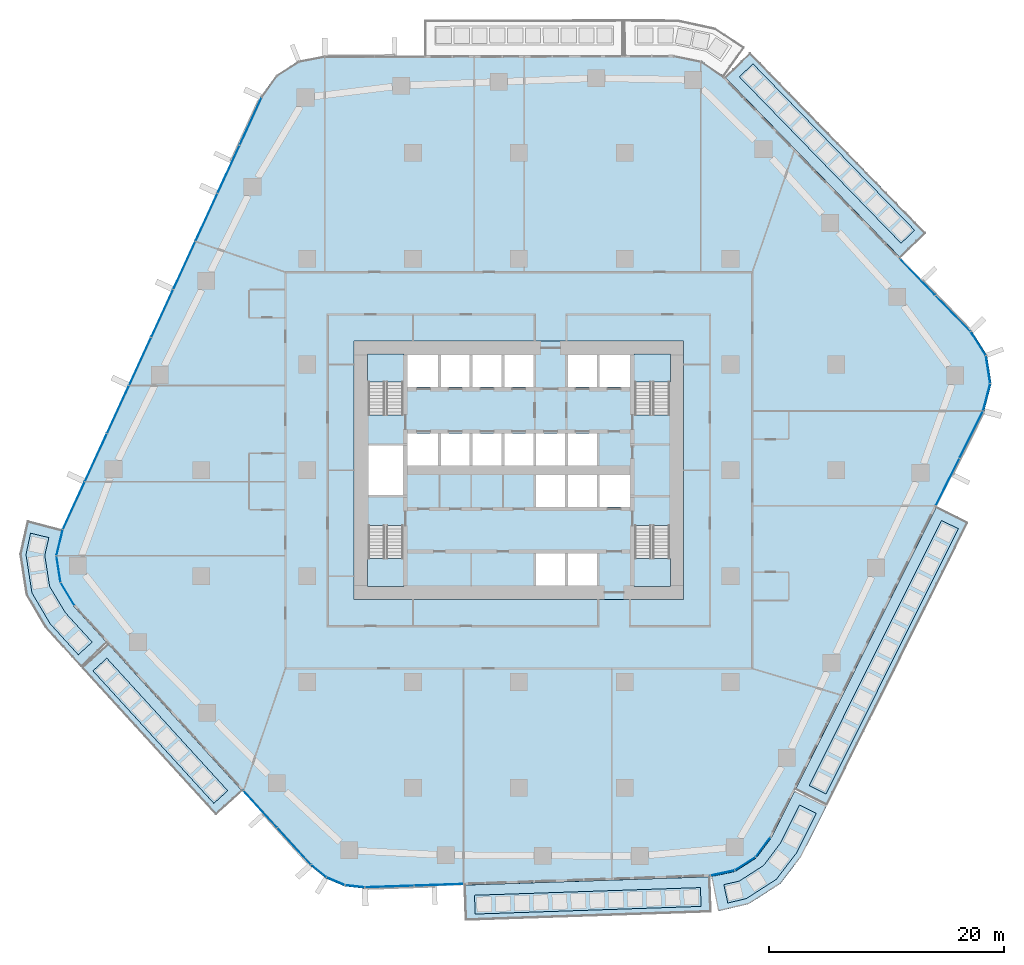
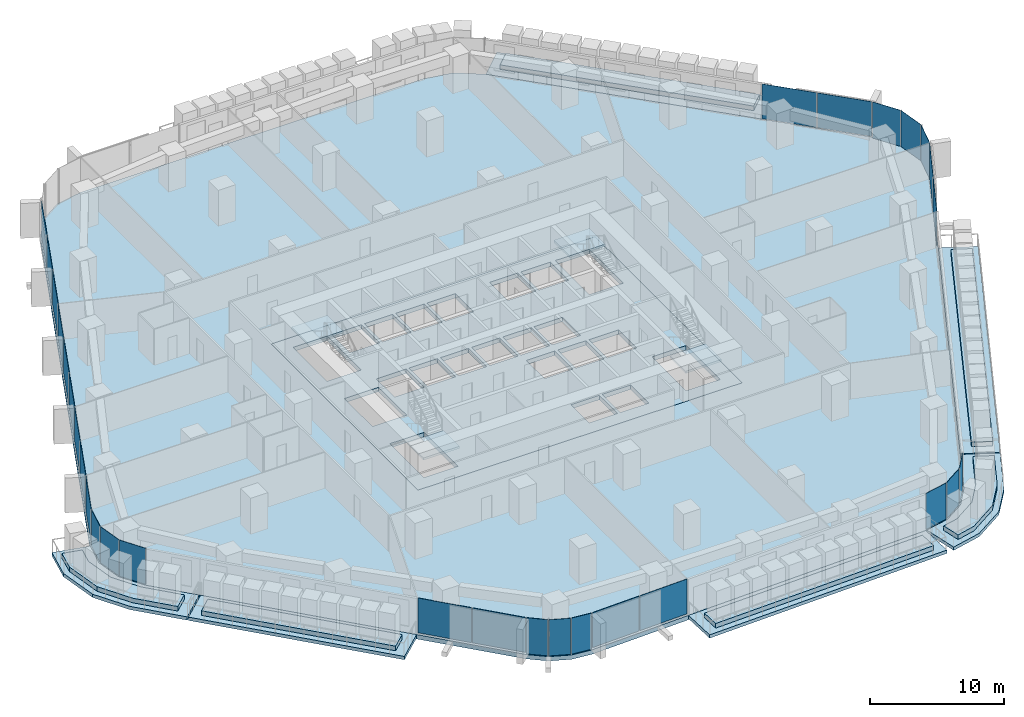
# One storey, part 11 of 26: 29 plates, 18 slabs, 13 elements without a shape of their own.
"""IFC4 building model written with IfcOpenShell, lengths in metres."""

from ifc_helpers import new_model, si_unit, direction, frame, origin, origin_2d, place, context, subcontext, project, spatial, polyline, rectangle, outline, extrude, material, layer, layer_set, type_object, element, aggregate, save


model = new_model("IFC4")

# Units and contexts
model_context = context("Model", 3, precision=1e-05, world=origin(), true_north=direction((0.0, 1.0)))
body_context = subcontext(model_context, "Body", "Model", "MODEL_VIEW")
ifc_project = project(units=[si_unit("LENGTHUNIT", "METRE"), si_unit("AREAUNIT", "SQUARE_METRE"), si_unit("VOLUMEUNIT", "CUBIC_METRE"), si_unit("PLANEANGLEUNIT", "RADIAN"), si_unit("MASSUNIT", "GRAM", prefix="KILO")], contexts=[model_context])

# Site, building, storey
site_placement = place(None, origin())
site = spatial("IfcSite", under=ifc_project, at=site_placement, CompositionType="ELEMENT")
building_placement = place(site_placement, origin())
building = spatial("IfcBuilding", under=site, at=building_placement, Name="Dongbaek Canopy Tower", CompositionType="ELEMENT")
storey_placement = place(building_placement, frame((0.0, 0.0, 69.89990234375)))
storey = spatial("IfcBuildingStorey", under=building, at=storey_placement, Name="L13", CompositionType="ELEMENT", Elevation=69.89990234375)

# Slabs
ifc_material_1 = material(Name="Concrete C40/50", Category="concrete")
ifc_layer_1 = layer(ifc_material_1, 0.300048828125)
ifc_layer_set_1 = layer_set([ifc_layer_1], Name="Balcony slab 300")
slab_type_1 = type_object("IfcSlabType", Name="Balcony slab 300", PredefinedType="FLOOR", material=ifc_layer_set_1)
slab_1_placement = place(storey_placement, frame((0.0, 0.0, -0.2998046875)))
element("IfcSlab", 1, at=slab_1_placement, inside=storey, type_object=slab_type_1, Name="Balcony L13 1", PredefinedType="FLOOR", context=body_context, shape_type="SweptSolid", body=[
    extrude(outline(polyline([(32.453369140625, 18.074462890625), (17.52197265625, 33.441162109375), (19.67333984375, 35.53173828125), (34.60498046875, 20.165283203125), (32.453369140625, 18.074462890625)])), origin(), (0.0, 0.0, 1.0), 0.2998046875),
])
slab_2_placement = place(storey_placement, frame((0.0, 0.0, -0.2998046875)))
element("IfcSlab", 2, at=slab_2_placement, inside=storey, type_object=slab_type_1, Name="Balcony L13 3", PredefinedType="FLOOR", context=body_context, shape_type="SweptSolid", body=[
    extrude(outline(polyline([(-34.946044921875, -14.74072265625), (-23.51904296875, -27.2646484375), (-25.7353515625, -29.28662109375), (-37.162109375, -16.762939453125), (-34.946044921875, -14.74072265625)])), origin(), (0.0, 0.0, 1.0), 0.2998046875),
])
slab_3_placement = place(storey_placement, frame((0.0, 0.0, -0.2998046875)))
element("IfcSlab", 3, at=slab_3_placement, inside=storey, type_object=slab_type_1, Name="Balcony L13 7", PredefinedType="FLOOR", context=body_context, shape_type="SweptSolid", body=[
    extrude(outline(polyline([(-38.88330078125, -5.05078125), (-39.416015625, -7.2646484375), (-39.05859375, -9.56396484375), (-37.853271484375, -11.554443359375), (-35.013427734375, -14.6669921875), (-37.2294921875, -16.68896484375), (-40.255859375, -13.350830078125), (-41.87744140625, -10.5908203125), (-42.413330078125, -7.1416015625), (-41.800048828125, -4.34912109375), (-38.88330078125, -5.05078125)])), origin(), (0.0, 0.0, 1.0), 0.2998046875),
])
slab_4_placement = place(storey_placement, frame((0.0, 0.0, -0.2998046875)))
element("IfcSlab", 4, at=slab_4_placement, inside=storey, type_object=slab_type_1, Name="Balcony L13 4", PredefinedType="FLOOR", context=body_context, shape_type="SweptSolid", body=[
    extrude(outline(polyline([(-4.64892578125, -35.265869140625), (16.259521484375, -34.55615234375), (16.361328125, -37.554443359375), (-4.547119140625, -38.26416015625), (-4.64892578125, -35.265869140625)])), origin(), (0.0, 0.0, 1.0), 0.2998046875),
])
slab_5_placement = place(storey_placement, frame((0.0, 0.0, -0.2998046875)))
element("IfcSlab", 5, at=slab_5_placement, inside=storey, type_object=slab_type_1, Name="Balcony L13 5", PredefinedType="FLOOR", context=body_context, shape_type="SweptSolid", body=[
    extrude(outline(polyline([(23.506103515625, -27.1650390625), (35.5146484375, -3.094482421875), (38.198974609375, -4.433837890625), (26.1904296875, -28.504150390625), (23.506103515625, -27.1650390625)])), origin(), (0.0, 0.0, 1.0), 0.2998046875),
])
slab_6_placement = place(storey_placement, frame((0.0, 0.0, -0.2998046875)))
element("IfcSlab", 6, at=slab_6_placement, inside=storey, type_object=slab_type_1, Name="Balcony L13 8", PredefinedType="FLOOR", context=body_context, shape_type="SweptSolid", body=[
    extrude(outline(polyline([(16.3583984375, -34.5439453125), (18.39794921875, -34.102783203125), (20.19580078125, -32.947998046875), (21.474853515625, -31.236328125), (23.46142578125, -27.25439453125), (26.145751953125, -28.59375), (24.02880859375, -32.810302734375), (22.24072265625, -35.14306640625), (19.5439453125, -36.875244140625), (16.992431640625, -37.47607421875), (16.3583984375, -34.5439453125)])), origin(), (0.0, 0.0, 1.0), 0.2998046875),
])

# Curtain wall, plates
ifc_material_2 = material(Name="Aluminium 6063-T6 pale anodised", Category="aluminium")
ifc_layer_2 = layer(ifc_material_2, 0.199951171875)
ifc_layer_set_2 = layer_set([ifc_layer_2], Name="CW-1 unitised tower curtain wall")
curtain_wall_type = type_object("IfcCurtainWallType", Name="CW-1 unitised tower curtain wall", PredefinedType="NOTDEFINED", material=ifc_layer_set_2)
curtain_wall_1_placement = place(storey_placement, origin())
curtain_wall_1 = element("IfcCurtainWall", 7, at=curtain_wall_1_placement, inside=storey, type_object=curtain_wall_type, Name="CW-1 curtain wall K0.1", PredefinedType="NOTDEFINED")
ifc_material_3 = material(Name="Clear laminated glass", Category="glass")
ifc_layer_3 = layer(ifc_material_3, 0.028076171875)
ifc_layer_set_3 = layer_set([ifc_layer_3], Name="CW-1 glazed panel 28")
plate_type = type_object("IfcPlateType", Name="CW-1 glazed panel 28", PredefinedType="CURTAIN_PANEL", material=ifc_layer_set_3)
plate_1_placement = place(storey_placement, frame((39.76806640625, 6.208740234375, 0.0), z_axis=(0.0, 0.0, 1.0), x_axis=(0.254303572242, 0.967124445532, 0.0)))
plate_1 = element("IfcPlate", 8, at=plate_1_placement, type_object=plate_type, Name="CW-1 panel K0.1.1.1", PredefinedType="CURTAIN_PANEL", context=body_context, shape_type="SweptSolid", body=[
    extrude(rectangle(XDim=2.3349609375, YDim=0.028076171875, at=origin_2d()), origin(), (0.0, 0.0, 1.0), 3.300048828125),
])
plate_2_placement = place(storey_placement, frame((39.890869140625, 8.568359375, 0.0), z_axis=(0.0, 0.0, 1.0), x_axis=(-0.153529895186, 0.988144003313, 0.0)))
plate_2 = element("IfcPlate", 9, at=plate_2_placement, type_object=plate_type, Name="CW-1 panel K0.1.2.1", PredefinedType="CURTAIN_PANEL", context=body_context, shape_type="SweptSolid", body=[
    extrude(rectangle(XDim=2.324462890625, YDim=0.028076171875, at=origin_2d()), origin(), (0.0, 0.0, 1.0), 3.300048828125),
])
plate_3_placement = place(storey_placement, frame((39.057861328125, 10.77978515625, 0.0), z_axis=(0.0, 0.0, 1.0), x_axis=(-0.535759188309, 0.844370826203, 0.0)))
plate_3 = element("IfcPlate", 10, at=plate_3_placement, type_object=plate_type, Name="CW-1 panel K0.1.3.1", PredefinedType="CURTAIN_PANEL", context=body_context, shape_type="SweptSolid", body=[
    extrude(rectangle(XDim=2.3349609375, YDim=0.028076171875, at=origin_2d()), origin(), (0.0, 0.0, 1.0), 3.300048828125),
])
aggregate(curtain_wall_1, [plate_1, plate_2, plate_3])

curtain_wall_2_placement = place(storey_placement, origin())
curtain_wall_2 = element("IfcCurtainWall", 11, at=curtain_wall_2_placement, inside=storey, type_object=curtain_wall_type, Name="CW-1 curtain wall F0.1", PredefinedType="NOTDEFINED")
plate_4_placement = place(storey_placement, frame((36.913330078125, 13.34130859375, 0.1201171875), z_axis=(0.0, 0.0, 1.0), x_axis=(-0.696881592027, 0.717186200853, 0.0)))
plate_4 = element("IfcPlate", 12, at=plate_4_placement, type_object=plate_type, Name="CW-1 panel F0.1.1.1", PredefinedType="CURTAIN_PANEL", context=body_context, shape_type="SweptSolid", body=[
    extrude(rectangle(XDim=4.2109375, YDim=0.028076171875, at=origin_2d()), origin(), (0.0, 0.0, 1.0), 3.179931640625),
])
plate_5_placement = place(storey_placement, frame((33.916748046875, 16.425048828125, 0.1201171875), z_axis=(0.0, 0.0, 1.0), x_axis=(-0.696881592027, 0.717186200853, 0.0)))
plate_5 = element("IfcPlate", 13, at=plate_5_placement, type_object=plate_type, Name="CW-1 panel F0.1.2.1", PredefinedType="CURTAIN_PANEL", context=body_context, shape_type="SweptSolid", body=[
    extrude(rectangle(XDim=4.22119140625, YDim=0.028076171875, at=origin_2d()), origin(), (0.0, 0.0, 1.0), 3.179931640625),
])
aggregate(curtain_wall_2, [plate_4, plate_5])

curtain_wall_3_placement = place(storey_placement, origin())
curtain_wall_3 = element("IfcCurtainWall", 14, at=curtain_wall_3_placement, inside=storey, type_object=curtain_wall_type, Name="CW-1 curtain wall F2.1", PredefinedType="NOTDEFINED")
plate_6_placement = place(storey_placement, frame((-22.805419921875, 29.6728515625, 0.1201171875), z_axis=(0.0, 0.0, 1.0), x_axis=(-0.418024643264, -0.908435687115, 0.0)))
plate_6 = element("IfcPlate", 15, at=plate_6_placement, type_object=plate_type, Name="CW-1 panel F2.1.1.1", PredefinedType="CURTAIN_PANEL", context=body_context, shape_type="SweptSolid", body=[
    extrude(rectangle(XDim=4.403076171875, YDim=0.028076171875, at=origin_2d()), origin(), (0.0, 0.0, 1.0), 3.179931640625),
])
plate_7_placement = place(storey_placement, frame((-24.68310546875, 25.59228515625, 0.1201171875), z_axis=(0.0, 0.0, 1.0), x_axis=(-0.418024643264, -0.908435687115, 0.0)))
plate_7 = element("IfcPlate", 16, at=plate_7_placement, type_object=plate_type, Name="CW-1 panel F2.1.2.1", PredefinedType="CURTAIN_PANEL", context=body_context, shape_type="SweptSolid", body=[
    extrude(rectangle(XDim=4.41259765625, YDim=0.028076171875, at=origin_2d()), origin(), (0.0, 0.0, 1.0), 3.179931640625),
])
plate_8_placement = place(storey_placement, frame((-26.562744140625, 21.50732421875, 0.1201171875), z_axis=(0.0, 0.0, 1.0), x_axis=(-0.418024643264, -0.908435687115, 0.0)))
plate_8 = element("IfcPlate", 17, at=plate_8_placement, type_object=plate_type, Name="CW-1 panel F2.1.3.1", PredefinedType="CURTAIN_PANEL", context=body_context, shape_type="SweptSolid", body=[
    extrude(rectangle(XDim=4.41259765625, YDim=0.028076171875, at=origin_2d()), origin(), (0.0, 0.0, 1.0), 3.179931640625),
])
plate_9_placement = place(storey_placement, frame((-28.442626953125, 17.422607421875, 0.1201171875), z_axis=(0.0, 0.0, 1.0), x_axis=(-0.418024643264, -0.908435687115, 0.0)))
plate_9 = element("IfcPlate", 18, at=plate_9_placement, type_object=plate_type, Name="CW-1 panel F2.1.4.1", PredefinedType="CURTAIN_PANEL", context=body_context, shape_type="SweptSolid", body=[
    extrude(rectangle(XDim=4.41259765625, YDim=0.028076171875, at=origin_2d()), origin(), (0.0, 0.0, 1.0), 3.179931640625),
])
plate_10_placement = place(storey_placement, frame((-30.322265625, 13.337646484375, 0.1201171875), z_axis=(0.0, 0.0, 1.0), x_axis=(-0.418024643264, -0.908435687115, 0.0)))
plate_10 = element("IfcPlate", 19, at=plate_10_placement, type_object=plate_type, Name="CW-1 panel F2.1.5.1", PredefinedType="CURTAIN_PANEL", context=body_context, shape_type="SweptSolid", body=[
    extrude(rectangle(XDim=4.41259765625, YDim=0.028076171875, at=origin_2d()), origin(), (0.0, 0.0, 1.0), 3.179931640625),
])
plate_11_placement = place(storey_placement, frame((-32.201904296875, 9.2529296875, 0.1201171875), z_axis=(0.0, 0.0, 1.0), x_axis=(-0.418024643264, -0.908435687115, 0.0)))
plate_11 = element("IfcPlate", 20, at=plate_11_placement, type_object=plate_type, Name="CW-1 panel F2.1.6.1", PredefinedType="CURTAIN_PANEL", context=body_context, shape_type="SweptSolid", body=[
    extrude(rectangle(XDim=4.41259765625, YDim=0.028076171875, at=origin_2d()), origin(), (0.0, 0.0, 1.0), 3.179931640625),
])
plate_12_placement = place(storey_placement, frame((-34.08154296875, 5.168212890625, 0.1201171875), z_axis=(0.0, 0.0, 1.0), x_axis=(-0.418024643264, -0.908435687115, 0.0)))
plate_12 = element("IfcPlate", 21, at=plate_12_placement, type_object=plate_type, Name="CW-1 panel F2.1.7.1", PredefinedType="CURTAIN_PANEL", context=body_context, shape_type="SweptSolid", body=[
    extrude(rectangle(XDim=4.41259765625, YDim=0.028076171875, at=origin_2d()), origin(), (0.0, 0.0, 1.0), 3.179931640625),
])
plate_13_placement = place(storey_placement, frame((-35.961181640625, 1.083251953125, 0.1201171875), z_axis=(0.0, 0.0, 1.0), x_axis=(-0.418024643264, -0.908435687115, 0.0)))
plate_13 = element("IfcPlate", 22, at=plate_13_placement, type_object=plate_type, Name="CW-1 panel F2.1.8.1", PredefinedType="CURTAIN_PANEL", context=body_context, shape_type="SweptSolid", body=[
    extrude(rectangle(XDim=4.41259765625, YDim=0.028076171875, at=origin_2d()), origin(), (0.0, 0.0, 1.0), 3.179931640625),
])
plate_14_placement = place(storey_placement, frame((-37.8388671875, -2.9970703125, 0.1201171875), z_axis=(0.0, 0.0, 1.0), x_axis=(-0.418024643264, -0.908435687115, 0.0)))
plate_14 = element("IfcPlate", 23, at=plate_14_placement, type_object=plate_type, Name="CW-1 panel F2.1.9.1", PredefinedType="CURTAIN_PANEL", context=body_context, shape_type="SweptSolid", body=[
    extrude(rectangle(XDim=4.40283203125, YDim=0.028076171875, at=origin_2d()), origin(), (0.0, 0.0, 1.0), 3.179931640625),
])
aggregate(curtain_wall_3, [plate_6, plate_7, plate_8, plate_9, plate_10, plate_11, plate_12, plate_13, plate_14])

curtain_wall_4_placement = place(storey_placement, origin())
curtain_wall_4 = element("IfcCurtainWall", 24, at=curtain_wall_4_placement, inside=storey, type_object=curtain_wall_type, Name="CW-1 curtain wall K3.1", PredefinedType="NOTDEFINED")
plate_15_placement = place(storey_placement, frame((-39.04541015625, -6.15185546875, 0.0), z_axis=(0.0, 0.0, 1.0), x_axis=(-0.233932352085, -0.972252875875, 0.0)))
plate_15 = element("IfcPlate", 25, at=plate_15_placement, type_object=plate_type, Name="CW-1 panel K3.1.1.1", PredefinedType="CURTAIN_PANEL", context=body_context, shape_type="SweptSolid", body=[
    extrude(rectangle(XDim=2.21337890625, YDim=0.028076171875, at=origin_2d()), origin(), (0.0, 0.0, 1.0), 3.300048828125),
])
plate_16_placement = place(storey_placement, frame((-39.138427734375, -8.39892578125, 0.0), z_axis=(0.0, 0.0, 1.0), x_axis=(0.153568518099, -0.988138001622, 0.0)))
plate_16 = element("IfcPlate", 26, at=plate_16_placement, type_object=plate_type, Name="CW-1 panel K3.1.2.1", PredefinedType="CURTAIN_PANEL", context=body_context, shape_type="SweptSolid", body=[
    extrude(rectangle(XDim=2.203369140625, YDim=0.028076171875, at=origin_2d()), origin(), (0.0, 0.0, 1.0), 3.300048828125),
])
plate_17_placement = place(storey_placement, frame((-38.367919921875, -10.51171875, 0.0), z_axis=(0.0, 0.0, 1.0), x_axis=(0.517971260884, -0.855398020163, 0.0)))
plate_17 = element("IfcPlate", 27, at=plate_17_placement, type_object=plate_type, Name="CW-1 panel K3.1.3.1", PredefinedType="CURTAIN_PANEL", context=body_context, shape_type="SweptSolid", body=[
    extrude(rectangle(XDim=2.21337890625, YDim=0.028076171875, at=origin_2d()), origin(), (0.0, 0.0, 1.0), 3.300048828125),
])
aggregate(curtain_wall_4, [plate_15, plate_16, plate_17])

curtain_wall_5_placement = place(storey_placement, origin())
curtain_wall_5 = element("IfcCurtainWall", 28, at=curtain_wall_5_placement, inside=storey, type_object=curtain_wall_type, Name="CW-1 curtain wall F3.1", PredefinedType="NOTDEFINED")
plate_18_placement = place(storey_placement, frame((-21.974853515625, -28.808837890625, 0.1201171875), z_axis=(0.0, 0.0, 1.0), x_axis=(0.674012428708, -0.738720005108, 0.0)))
plate_18 = element("IfcPlate", 29, at=plate_18_placement, type_object=plate_type, Name="CW-1 panel F3.1.1.1", PredefinedType="CURTAIN_PANEL", context=body_context, shape_type="SweptSolid", body=[
    extrude(rectangle(XDim=4.179443359375, YDim=0.028076171875, at=origin_2d()), origin(), (0.0, 0.0, 1.0), 3.179931640625),
])
plate_19_placement = place(storey_placement, frame((-19.103515625, -31.955810546875, 0.1201171875), z_axis=(0.0, 0.0, 1.0), x_axis=(0.674012428708, -0.738720005108, 0.0)))
plate_19 = element("IfcPlate", 30, at=plate_19_placement, type_object=plate_type, Name="CW-1 panel F3.1.2.1", PredefinedType="CURTAIN_PANEL", context=body_context, shape_type="SweptSolid", body=[
    extrude(rectangle(XDim=4.172119140625, YDim=0.028076171875, at=origin_2d()), origin(), (0.0, 0.0, 1.0), 3.179931640625),
])
aggregate(curtain_wall_5, [plate_18, plate_19])

curtain_wall_6_placement = place(storey_placement, origin())
curtain_wall_6 = element("IfcCurtainWall", 31, at=curtain_wall_6_placement, inside=storey, type_object=curtain_wall_type, Name="CW-1 curtain wall K4.1", PredefinedType="NOTDEFINED")
plate_20_placement = place(storey_placement, frame((-17.01123046875, -34.067626953125, 0.0), z_axis=(0.0, 0.0, 1.0), x_axis=(0.773161951853, -0.634208637758, 0.0)))
plate_20 = element("IfcPlate", 32, at=plate_20_placement, type_object=plate_type, Name="CW-1 panel K4.1.1.1", PredefinedType="CURTAIN_PANEL", context=body_context, shape_type="SweptSolid", body=[
    extrude(rectangle(XDim=1.618408203125, YDim=0.028076171875, at=origin_2d()), origin(), (0.0, 0.0, 1.0), 3.300048828125),
])
plate_21_placement = place(storey_placement, frame((-15.57177734375, -34.9365234375, 0.0), z_axis=(0.0, 0.0, 1.0), x_axis=(0.921599443138, -0.388142327513, 0.0)))
plate_21 = element("IfcPlate", 33, at=plate_21_placement, type_object=plate_type, Name="CW-1 panel K4.1.2.1", PredefinedType="CURTAIN_PANEL", context=body_context, shape_type="SweptSolid", body=[
    extrude(rectangle(XDim=1.611083984375, YDim=0.028076171875, at=origin_2d()), origin(), (0.0, 0.0, 1.0), 3.300048828125),
])
plate_22_placement = place(storey_placement, frame((-13.944580078125, -35.359130859375, 0.0), z_axis=(0.0, 0.0, 1.0), x_axis=(0.993929116272, -0.110022324221, 0.0)))
plate_22 = element("IfcPlate", 34, at=plate_22_placement, type_object=plate_type, Name="CW-1 panel K4.1.3.1", PredefinedType="CURTAIN_PANEL", context=body_context, shape_type="SweptSolid", body=[
    extrude(rectangle(XDim=1.618408203125, YDim=0.028076171875, at=origin_2d()), origin(), (0.0, 0.0, 1.0), 3.300048828125),
])
aggregate(curtain_wall_6, [plate_20, plate_21, plate_22])

curtain_wall_7_placement = place(storey_placement, origin())
curtain_wall_7 = element("IfcCurtainWall", 35, at=curtain_wall_7_placement, inside=storey, type_object=curtain_wall_type, Name="CW-1 curtain wall F4.1", PredefinedType="NOTDEFINED")
plate_23_placement = place(storey_placement, frame((-11.001220703125, -35.381591796875, 0.1201171875), z_axis=(0.0, 0.0, 1.0), x_axis=(0.999424118962, 0.033932734012, 0.0)))
plate_23 = element("IfcPlate", 36, at=plate_23_placement, type_object=plate_type, Name="CW-1 panel F4.1.1.1", PredefinedType="CURTAIN_PANEL", context=body_context, shape_type="SweptSolid", body=[
    extrude(rectangle(XDim=4.11279296875, YDim=0.028076171875, at=origin_2d()), origin(), (0.0, 0.0, 1.0), 3.179931640625),
])
plate_24_placement = place(storey_placement, frame((-6.80322265625, -35.239013671875, 0.1201171875), z_axis=(0.0, 0.0, 1.0), x_axis=(0.999424118962, 0.033932734012, 0.0)))
plate_24 = element("IfcPlate", 37, at=plate_24_placement, type_object=plate_type, Name="CW-1 panel F4.1.2.1", PredefinedType="CURTAIN_PANEL", context=body_context, shape_type="SweptSolid", body=[
    extrude(rectangle(XDim=4.1201171875, YDim=0.028076171875, at=origin_2d()), origin(), (0.0, 0.0, 1.0), 3.179931640625),
])
aggregate(curtain_wall_7, [plate_23, plate_24])

curtain_wall_8_placement = place(storey_placement, origin())
curtain_wall_8 = element("IfcCurtainWall", 38, at=curtain_wall_8_placement, inside=storey, type_object=curtain_wall_type, Name="CW-1 curtain wall K5.1", PredefinedType="NOTDEFINED")
plate_25_placement = place(storey_placement, frame((17.328125, -34.23193359375, 0.0), z_axis=(0.0, 0.0, 1.0), x_axis=(0.977410593537, 0.211349311905, 0.0)))
plate_25 = element("IfcPlate", 39, at=plate_25_placement, type_object=plate_type, Name="CW-1 panel K5.1.1.1", PredefinedType="CURTAIN_PANEL", context=body_context, shape_type="SweptSolid", body=[
    extrude(rectangle(XDim=2.025634765625, YDim=0.028076171875, at=origin_2d()), origin(), (0.0, 0.0, 1.0), 3.300048828125),
])
plate_26_placement = place(storey_placement, frame((19.242919921875, -33.441162109375, 0.0), z_axis=(0.0, 0.0, 1.0), x_axis=(0.841367811279, 0.540462955385, 0.0)))
plate_26 = element("IfcPlate", 40, at=plate_26_placement, type_object=plate_type, Name="CW-1 panel K5.1.2.1", PredefinedType="CURTAIN_PANEL", context=body_context, shape_type="SweptSolid", body=[
    extrude(rectangle(XDim=2.0166015625, YDim=0.028076171875, at=origin_2d()), origin(), (0.0, 0.0, 1.0), 3.300048828125),
])
plate_27_placement = place(storey_placement, frame((20.758056640625, -32.028564453125, 0.0), z_axis=(0.0, 0.0, 1.0), x_axis=(0.59861987819, 0.801033233665, 0.0)))
plate_27 = element("IfcPlate", 41, at=plate_27_placement, type_object=plate_type, Name="CW-1 panel K5.1.3.1", PredefinedType="CURTAIN_PANEL", context=body_context, shape_type="SweptSolid", body=[
    extrude(rectangle(XDim=2.025634765625, YDim=0.028076171875, at=origin_2d()), origin(), (0.0, 0.0, 1.0), 3.300048828125),
])
aggregate(curtain_wall_8, [plate_25, plate_26, plate_27])

curtain_wall_9_placement = place(storey_placement, origin())
curtain_wall_9 = element("IfcCurtainWall", 42, at=curtain_wall_9_placement, inside=storey, type_object=curtain_wall_type, Name="CW-1 curtain wall F5.1", PredefinedType="NOTDEFINED")
plate_28_placement = place(storey_placement, frame((36.451904296875, -0.99169921875, 0.1201171875), z_axis=(0.0, 0.0, 1.0), x_axis=(0.446420474241, 0.894823312268, 0.0)))
plate_28 = element("IfcPlate", 43, at=plate_28_placement, type_object=plate_type, Name="CW-1 panel F5.1.1.1", PredefinedType="CURTAIN_PANEL", context=body_context, shape_type="SweptSolid", body=[
    extrude(rectangle(XDim=4.416015625, YDim=0.028076171875, at=origin_2d()), origin(), (0.0, 0.0, 1.0), 3.179931640625),
])
plate_29_placement = place(storey_placement, frame((38.45849609375, 3.0302734375, 0.1201171875), z_axis=(0.0, 0.0, 1.0), x_axis=(0.446420474241, 0.894823312268, 0.0)))
plate_29 = element("IfcPlate", 44, at=plate_29_placement, type_object=plate_type, Name="CW-1 panel F5.1.2.1", PredefinedType="CURTAIN_PANEL", context=body_context, shape_type="SweptSolid", body=[
    extrude(rectangle(XDim=4.405517578125, YDim=0.028076171875, at=origin_2d()), origin(), (0.0, 0.0, 1.0), 3.179931640625),
])
aggregate(curtain_wall_9, [plate_28, plate_29])

# Slab
ifc_material_4 = material(Name="Concrete C40/50", Category="concrete")
ifc_layer_4 = layer(ifc_material_4, 0.39990234375)
ifc_layer_set_4 = layer_set([ifc_layer_4], Name="Core floor slab 400 Concrete C40/50")
slab_type_2 = type_object("IfcSlabType", Name="Core floor slab 400 Concrete C40/50", PredefinedType="FLOOR", material=ifc_layer_set_4)
slab_7_placement = place(storey_placement, frame((0.0, 0.0, -0.39990234375)))
element("IfcSlab", 45, at=slab_7_placement, inside=storey, type_object=slab_type_2, Name="Core floor slab L13", PredefinedType="FLOOR", context=body_context, shape_type="SweptSolid", body=[
    extrude(outline(polyline([(14.0, -11.0), (14.0, 11.0), (-14.0, 11.0), (-14.0, -11.0), (14.0, -11.0)]), holes=[polyline([(-12.800048828125, 2.10009765625), (-9.85009765625, 2.10009765625), (-9.85009765625, -2.10009765625), (-12.800048828125, -2.10009765625), (-12.800048828125, 2.10009765625)]), polyline([(-6.875, 9.800048828125), (-6.875, 7.074951171875), (-9.449951171875, 7.074951171875), (-9.449951171875, 9.800048828125), (-6.875, 9.800048828125)]), polyline([(-4.175048828125, 9.800048828125), (-4.175048828125, 7.074951171875), (-6.625, 7.074951171875), (-6.625, 9.800048828125), (-4.175048828125, 9.800048828125)]), polyline([(-1.47509765625, 9.800048828125), (-1.47509765625, 7.074951171875), (-3.925048828125, 7.074951171875), (-3.925048828125, 9.800048828125), (-1.47509765625, 9.800048828125)]), polyline([(1.22509765625, 9.800048828125), (1.22509765625, 7.074951171875), (-1.22509765625, 7.074951171875), (-1.22509765625, 9.800048828125), (1.22509765625, 9.800048828125)]), polyline([(6.625, 9.800048828125), (6.625, 7.074951171875), (4.175048828125, 7.074951171875), (4.175048828125, 9.800048828125), (6.625, 9.800048828125)]), polyline([(9.449951171875, 7.074951171875), (6.875, 7.074951171875), (6.875, 9.800048828125), (9.449951171875, 9.800048828125), (9.449951171875, 7.074951171875)]), polyline([(-9.449951171875, 3.125), (-6.875, 3.125), (-6.875, 0.39990234375), (-9.449951171875, 0.39990234375), (-9.449951171875, 3.125)]), polyline([(-6.625, 3.125), (-4.175048828125, 3.125), (-4.175048828125, 0.39990234375), (-6.625, 0.39990234375), (-6.625, 3.125)]), polyline([(-3.925048828125, 3.125), (-1.47509765625, 3.125), (-1.47509765625, 0.39990234375), (-3.925048828125, 0.39990234375), (-3.925048828125, 3.125)]), polyline([(-1.22509765625, 3.125), (1.22509765625, 3.125), (1.22509765625, 0.39990234375), (-1.22509765625, 0.39990234375), (-1.22509765625, 3.125)]), polyline([(3.925048828125, 3.125), (3.925048828125, 0.39990234375), (1.47509765625, 0.39990234375), (1.47509765625, 3.125), (3.925048828125, 3.125)]), polyline([(4.175048828125, 3.125), (6.625, 3.125), (6.625, 0.39990234375), (4.175048828125, 0.39990234375), (4.175048828125, 3.125)]), polyline([(1.47509765625, -0.39990234375), (3.925048828125, -0.39990234375), (3.925048828125, -3.125), (1.47509765625, -3.125), (1.47509765625, -0.39990234375)]), polyline([(4.175048828125, -3.125), (4.175048828125, -0.39990234375), (6.625, -0.39990234375), (6.625, -3.125), (4.175048828125, -3.125)]), polyline([(9.449951171875, -3.125), (6.875, -3.125), (6.875, -0.39990234375), (9.449951171875, -0.39990234375), (9.449951171875, -3.125)]), polyline([(1.47509765625, -9.800048828125), (1.47509765625, -7.074951171875), (3.925048828125, -7.074951171875), (3.925048828125, -9.800048828125), (1.47509765625, -9.800048828125)]), polyline([(4.175048828125, -9.800048828125), (4.175048828125, -7.074951171875), (6.625, -7.074951171875), (6.625, -9.800048828125), (4.175048828125, -9.800048828125)]), polyline([(12.800048828125, 4.70068359375), (12.800048828125, 9.800048828125), (9.85009765625, 9.800048828125), (9.85009765625, 4.70068359375), (12.800048828125, 4.70068359375)]), polyline([(-9.85009765625, 4.70068359375), (-9.85009765625, 9.800048828125), (-12.800048828125, 9.800048828125), (-12.800048828125, 4.70068359375), (-9.85009765625, 4.70068359375)]), polyline([(9.85009765625, -4.70068359375), (9.85009765625, -9.800048828125), (12.800048828125, -9.800048828125), (12.800048828125, -4.70068359375), (9.85009765625, -4.70068359375)]), polyline([(-12.800048828125, -4.70068359375), (-12.800048828125, -9.800048828125), (-9.85009765625, -9.800048828125), (-9.85009765625, -4.70068359375), (-12.800048828125, -4.70068359375)])]), origin(), (0.0, 0.0, 1.0), 0.39990234375),
])

# Stair, slab
ifc_material_5 = material(Name="Concrete C40/50", Category="concrete")
stair_type = type_object("IfcStairType", Name="Core exit stair", PredefinedType="HALF_TURN_STAIR", material=ifc_material_5)
stair_1_placement = place(storey_placement, origin())
stair_1 = element("IfcStair", 46, at=stair_1_placement, inside=storey, type_object=stair_type, Name="L13 exit stair A", PredefinedType="HALF_TURN_STAIR")
ifc_material_6 = material(Name="Concrete C40/50", Category="concrete")
ifc_layer_5 = layer(ifc_material_6, 0.199951171875)
ifc_layer_set_5 = layer_set([ifc_layer_5], Name="Core stair landing 200")
slab_type_3 = type_object("IfcSlabType", Name="Core stair landing 200", PredefinedType="LANDING", material=ifc_layer_set_5)
slab_8_placement = place(storey_placement, frame((0.0, 0.0, 1.650146484375)))
slab_8 = element("IfcSlab", 47, at=slab_8_placement, type_object=slab_type_3, Name="ST-A landing 1", PredefinedType="LANDING", context=body_context, shape_type="SweptSolid", body=[
    extrude(outline(polyline([(12.875, 7.5), (12.875, 9.875), (9.77490234375, 9.875), (9.77490234375, 7.5), (12.875, 7.5)])), origin(), (0.0, 0.0, 1.0), 0.199951171875),
])
aggregate(stair_1, [slab_8])

stair_2_placement = place(storey_placement, origin())
stair_2 = element("IfcStair", 48, at=stair_2_placement, inside=storey, type_object=stair_type, Name="L13 exit stair C", PredefinedType="HALF_TURN_STAIR")
slab_9_placement = place(storey_placement, frame((0.0, 0.0, 1.650146484375)))
slab_9 = element("IfcSlab", 49, at=slab_9_placement, type_object=slab_type_3, Name="ST-C landing 1", PredefinedType="LANDING", context=body_context, shape_type="SweptSolid", body=[
    extrude(outline(polyline([(-9.77490234375, 7.5), (-9.77490234375, 9.875), (-12.875, 9.875), (-12.875, 7.5), (-9.77490234375, 7.5)])), origin(), (0.0, 0.0, 1.0), 0.199951171875),
])
aggregate(stair_2, [slab_9])

stair_3_placement = place(storey_placement, origin())
stair_3 = element("IfcStair", 50, at=stair_3_placement, inside=storey, type_object=stair_type, Name="L13 exit stair B", PredefinedType="HALF_TURN_STAIR")
slab_10_placement = place(storey_placement, frame((0.0, 0.0, 1.650146484375)))
slab_10 = element("IfcSlab", 51, at=slab_10_placement, type_object=slab_type_3, Name="ST-B landing 1", PredefinedType="LANDING", context=body_context, shape_type="SweptSolid", body=[
    extrude(outline(polyline([(9.77490234375, -7.5), (9.77490234375, -9.875), (12.875, -9.875), (12.875, -7.5), (9.77490234375, -7.5)])), origin(), (0.0, 0.0, 1.0), 0.199951171875),
])
aggregate(stair_3, [slab_10])

stair_4_placement = place(storey_placement, origin())
stair_4 = element("IfcStair", 52, at=stair_4_placement, inside=storey, type_object=stair_type, Name="L13 exit stair D", PredefinedType="HALF_TURN_STAIR")
slab_11_placement = place(storey_placement, frame((0.0, 0.0, 1.650146484375)))
slab_11 = element("IfcSlab", 53, at=slab_11_placement, type_object=slab_type_3, Name="ST-D landing 1", PredefinedType="LANDING", context=body_context, shape_type="SweptSolid", body=[
    extrude(outline(polyline([(-12.875, -7.5), (-12.875, -9.875), (-9.77490234375, -9.875), (-9.77490234375, -7.5), (-12.875, -7.5)])), origin(), (0.0, 0.0, 1.0), 0.199951171875),
])
aggregate(stair_4, [slab_11])

# Slabs
ifc_material_7 = material(Name="Concrete C40", Category="concrete")
ifc_layer_6 = layer(ifc_material_7, 0.39990234375)
ifc_layer_set_6 = layer_set([ifc_layer_6], Name="RC FLAT PLATE 400 Concrete C40")
slab_type_4 = type_object("IfcSlabType", Name="RC FLAT PLATE 400 Concrete C40", PredefinedType="FLOOR", material=ifc_layer_set_6)
slab_12_placement = place(storey_placement, frame((0.0, 0.0, -0.39990234375)))
element("IfcSlab", 54, at=slab_12_placement, inside=storey, type_object=slab_type_4, Name="SLAB:L13", PredefinedType="FLOOR", context=body_context, shape_type="SweptSolid", body=[
    extrude(outline(polyline([(21.474853515625, -31.236328125), (20.19580078125, -32.947998046875), (18.39794921875, -34.102783203125), (16.3095703125, -34.554443359375), (-13.102294921875, -35.552978515625), (-14.816162109375, -35.36328125), (-16.4052734375, -34.694091796875), (-17.73828125, -33.6005859375), (-37.853271484375, -11.554443359375), (-39.05859375, -9.56396484375), (-39.416015625, -7.2646484375), (-38.87158203125, -5.002197265625), (-21.95458984375, 31.76123046875), (-20.63818359375, 33.6015625), (-18.73388671875, 34.823486328125), (-16.512451171875, 35.253173828125), (13.17529296875, 35.2958984375), (15.515869140625, 34.82421875), (17.487060546875, 33.47705078125), (38.48876953125, 11.86328125), (39.801513671875, 9.79443359375), (40.177734375, 7.373291015625), (39.5546875, 5.00341796875), (21.474853515625, -31.236328125)]), holes=[polyline([(14.0, 11.0), (-14.0, 11.0), (-14.0, -11.0), (14.0, -11.0), (14.0, 11.0)])]), origin(), (0.0, 0.0, 1.0), 0.39990234375),
])
ifc_material_8 = material(Name="Reinforced concrete C40/50 planter box with soil", Category="concrete")
ifc_layer_7 = layer(ifc_material_8, 0.419921875)
ifc_layer_set_7 = layer_set([ifc_layer_7], Name="Terrace planter box 1600 x 420")
slab_type_5 = type_object("IfcSlabType", Name="Terrace planter box 1600 x 420", PredefinedType="USERDEFINED", material=ifc_layer_set_7)
slab_13_placement = place(storey_placement, origin())
element("IfcSlab", 55, at=slab_13_placement, inside=storey, type_object=slab_type_5, Name="Balcony planter L13 1", ObjectType="PLANTER", PredefinedType="USERDEFINED", context=body_context, shape_type="SweptSolid", body=[
    extrude(outline(polyline([(32.49951171875, 19.304443359375), (18.75244140625, 33.451904296875), (19.900146484375, 34.56689453125), (33.64697265625, 20.41943359375), (32.49951171875, 19.304443359375)])), origin(), (0.0, 0.0, 1.0), 0.420166015625),
])
slab_14_placement = place(storey_placement, origin())
element("IfcSlab", 56, at=slab_14_placement, inside=storey, type_object=slab_type_5, Name="Balcony planter L13 3", ObjectType="PLANTER", PredefinedType="USERDEFINED", context=body_context, shape_type="SweptSolid", body=[
    extrude(outline(polyline([(-35.030517578125, -15.968505859375), (-24.74951171875, -27.236572265625), (-25.931396484375, -28.315185546875), (-36.21240234375, -17.047119140625), (-35.030517578125, -15.968505859375)])), origin(), (0.0, 0.0, 1.0), 0.420166015625),
])
slab_15_placement = place(storey_placement, origin())
element("IfcSlab", 57, at=slab_15_placement, inside=storey, type_object=slab_type_5, Name="Balcony planter L13 7", ObjectType="PLANTER", PredefinedType="USERDEFINED", context=body_context, shape_type="SweptSolid", body=[
    extrude(outline(polyline([(-39.959228515625, -5.717529296875), (-40.30517578125, -7.22802734375), (-39.894775390625, -9.86865234375), (-38.566162109375, -12.08740234375), (-36.277587890625, -14.60205078125), (-37.45947265625, -15.680419921875), (-39.847412109375, -13.04541015625), (-41.398193359375, -10.416259765625), (-41.90380859375, -7.16259765625), (-41.5146484375, -5.34326171875), (-39.959228515625, -5.717529296875)])), origin(), (0.0, 0.0, 1.0), 0.420166015625),
])
slab_16_placement = place(storey_placement, origin())
element("IfcSlab", 58, at=slab_16_placement, inside=storey, type_object=slab_type_5, Name="Balcony planter L13 4", ObjectType="PLANTER", PredefinedType="USERDEFINED", context=body_context, shape_type="SweptSolid", body=[
    extrude(outline(polyline([(-3.769287109375, -36.126708984375), (15.440185546875, -35.474365234375), (15.49462890625, -37.073486328125), (-3.715087890625, -37.725830078125), (-3.769287109375, -36.126708984375)])), origin(), (0.0, 0.0, 1.0), 0.420166015625),
])
slab_17_placement = place(storey_placement, origin())
element("IfcSlab", 59, at=slab_17_placement, inside=storey, type_object=slab_type_5, Name="Balcony planter L13 5", ObjectType="PLANTER", PredefinedType="USERDEFINED", context=body_context, shape_type="SweptSolid", body=[
    extrude(outline(polyline([(24.681884765625, -26.8017578125), (35.931640625, -4.25244140625), (37.36328125, -4.966796875), (26.113525390625, -27.515869140625), (24.681884765625, -26.8017578125)])), origin(), (0.0, 0.0, 1.0), 0.420166015625),
])
slab_18_placement = place(storey_placement, origin())
element("IfcSlab", 60, at=slab_18_placement, inside=storey, type_object=slab_type_5, Name="Balcony planter L13 8", ObjectType="PLANTER", PredefinedType="USERDEFINED", context=body_context, shape_type="SweptSolid", body=[
    extrude(outline(polyline([(17.42626953125, -35.223388671875), (18.738037109375, -34.92529296875), (20.802490234375, -33.59912109375), (22.232666015625, -31.703369140625), (23.85595703125, -28.45703125), (25.287841796875, -29.17138671875), (23.5947265625, -32.542724609375), (21.89306640625, -34.769775390625), (19.34912109375, -36.404052734375), (17.764404296875, -36.787353515625), (17.42626953125, -35.223388671875)])), origin(), (0.0, 0.0, 1.0), 0.420166015625),
])

save(model, "model.ifc")
